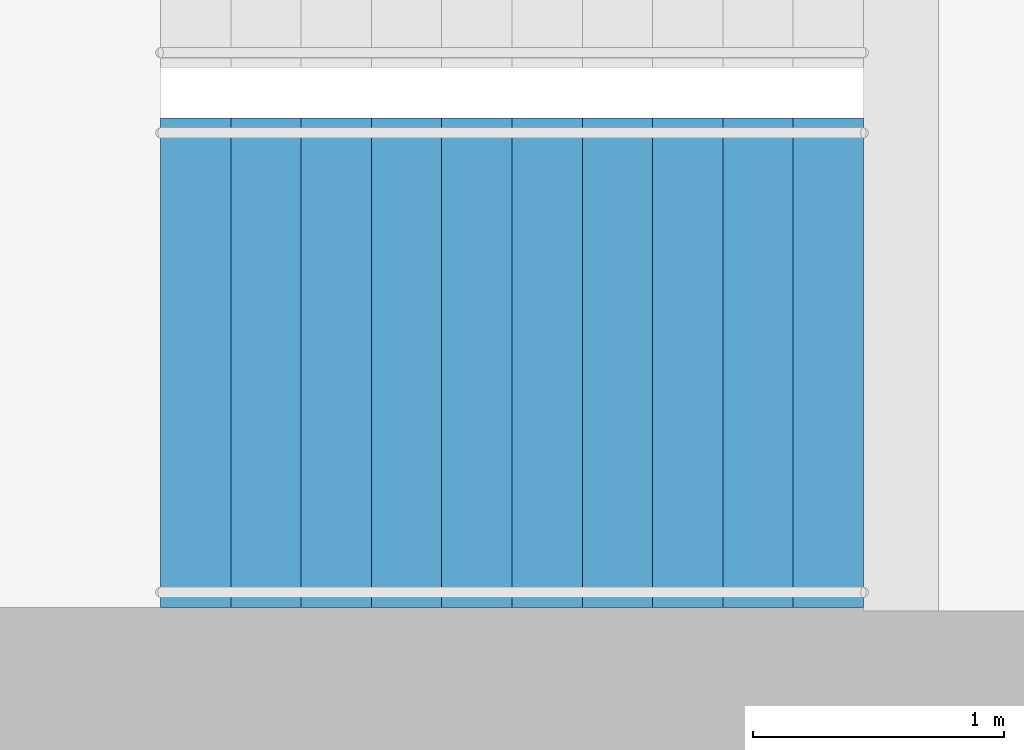
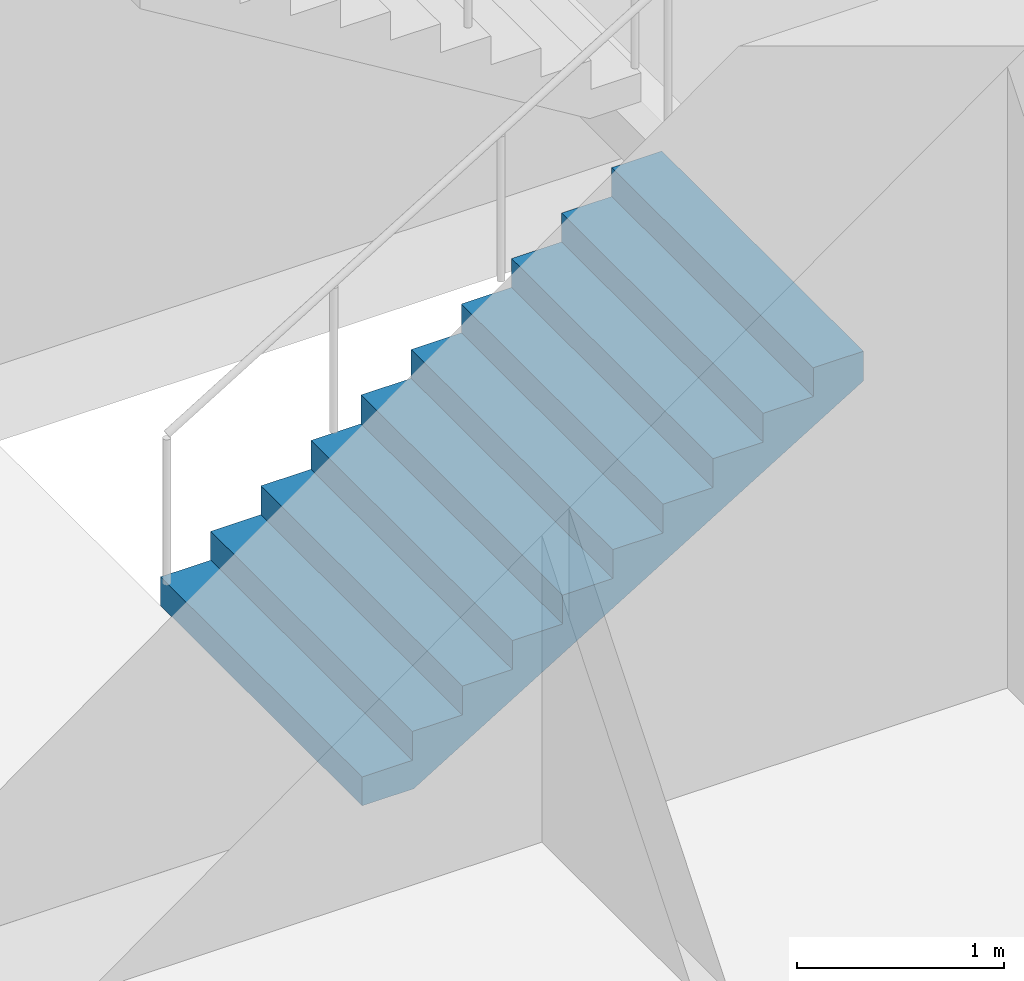
# One storey, part 20 of 26: 1 stair flight, 1 element without a shape of its own.
"""IFC4 building model written with IfcOpenShell, lengths in metres."""

from ifc_helpers import new_model, si_unit, direction, frame, origin, place, context, subcontext, project, spatial, triangles, material, type_object, element, aggregate, save


model = new_model("IFC4")

# Units and contexts
model_context = context("Model", 3, precision=1e-05, world=origin(), true_north=direction((0.0, 1.0)))
body_context = subcontext(model_context, "Body", "Model", "MODEL_VIEW")
ifc_project = project(units=[si_unit("LENGTHUNIT", "METRE"), si_unit("AREAUNIT", "SQUARE_METRE"), si_unit("VOLUMEUNIT", "CUBIC_METRE"), si_unit("PLANEANGLEUNIT", "RADIAN"), si_unit("MASSUNIT", "GRAM", prefix="KILO")], contexts=[model_context])

# Site, building, storey
site_placement = place(None, origin())
site = spatial("IfcSite", under=ifc_project, at=site_placement, CompositionType="ELEMENT")
building_placement = place(site_placement, origin())
building = spatial("IfcBuilding", under=site, at=building_placement, Name="Orbita Commons", CompositionType="ELEMENT")
storey_placement = place(building_placement, frame((0.0, 0.0, 231.550048828125)))
storey = spatial("IfcBuildingStorey", under=building, at=storey_placement, Name="L57", CompositionType="ELEMENT", Elevation=231.550048828125)

# Stair, stair flight
ifc_material_1 = material(Name="Precast concrete C40/50", Category="concrete")
stair_type = type_object("IfcStairType", Name="Exit stair S1 2 flights 11 risers 170", PredefinedType="HALF_TURN_STAIR", material=ifc_material_1)
stair_placement = place(storey_placement, origin())
stair = element("IfcStair", 1, at=stair_placement, inside=storey, type_object=stair_type, Name="Exit stair S1 L57", PredefinedType="HALF_TURN_STAIR")
ifc_material_2 = material(Name="Precast concrete C40/50", Category="concrete")
stair_flight_type = type_object("IfcStairFlightType", Name="Stair flight 11 risers 170 x 280", PredefinedType="STRAIGHT", material=ifc_material_2)
stair_flight_placement = place(storey_placement, frame((20.449951171875, 27.125, 0.0), z_axis=(0.0, 0.0, 1.0), x_axis=(1.0, 0.0, 0.0)))
stair_flight = element("IfcStairFlight", 2, at=stair_flight_placement, type_object=stair_flight_type, Name="S1 flight 1", NumberOfRisers=11, NumberOfTreads=10, PredefinedType="STRAIGHT", RiserHeight=0.170454545, TreadLength=0.28, context=body_context, shape_type="Tessellation", body=[
    triangles([(0.0, 0.974976, 0.0), (0.0, 0.974976, 0.021307), (0.0, 0.81248, 0.021307), (0.0, 0.81248, 0.0), (0.0, 0.649984, 0.021307), (0.0, 0.649984, 0.0), (0.0, 0.487488, 0.021307), (0.0, 0.487488, 0.0), (0.0, 0.324992, 0.021307), (0.0, 0.324992, 0.0), (0.0, 0.162496, 0.021307), (0.0, 0.162496, 0.0), (0.0, 0.0, 0.021307), (0.0, 0.0, 0.0), (0.0, -0.162496, 0.021307), (0.0, -0.162496, 0.0), (0.0, -0.324992, 0.021307), (0.0, -0.324992, 0.0), (0.0, -0.487488, 0.021307), (0.0, -0.487488, 0.0), (0.0, -0.649984, 0.021307), (0.0, -0.649984, 0.0), (0.0, -0.81248, 0.021307), (0.0, -0.81248, 0.0), (0.0, -0.974976, 0.021307), (0.0, -0.974976, 0.0), (0.0, 0.974976, 0.042614), (0.0, 0.81248, 0.042614), (0.0, 0.649984, 0.042614), (0.0, 0.487488, 0.042614), (0.0, 0.324992, 0.042614), (0.0, 0.162496, 0.042614), (0.0, 0.0, 0.042614), (0.0, -0.162496, 0.042614), (0.0, -0.324992, 0.042614), (0.0, -0.487488, 0.042614), (0.0, -0.649984, 0.042614), (0.0, -0.81248, 0.042614), (0.0, -0.974976, 0.042614), (0.0, 0.974976, 0.06392), (0.0, 0.81248, 0.06392), (0.0, 0.649984, 0.06392), (0.0, 0.487488, 0.06392), (0.0, 0.324992, 0.06392), (0.0, 0.162496, 0.06392), (0.0, 0.0, 0.06392), (0.0, -0.162496, 0.06392), (0.0, -0.324992, 0.06392), (0.0, -0.487488, 0.06392), (0.0, -0.649984, 0.06392), (0.0, -0.81248, 0.06392), (0.0, -0.974976, 0.06392), (0.0, 0.974976, 0.085227), (0.0, 0.81248, 0.085227), (0.0, 0.649984, 0.085227), (0.0, 0.487488, 0.085227), (0.0, 0.324992, 0.085227), (0.0, 0.162496, 0.085227), (0.0, 0.0, 0.085227), (0.0, -0.162496, 0.085227), (0.0, -0.324992, 0.085227), (0.0, -0.487488, 0.085227), (0.0, -0.649984, 0.085227), (0.0, -0.81248, 0.085227), (0.0, -0.974976, 0.085227), (0.0, 0.974976, 0.106534), (0.0, 0.81248, 0.106534), (0.0, 0.649984, 0.106534), (0.0, 0.487488, 0.106534), (0.0, 0.324992, 0.106534), (0.0, 0.162496, 0.106534), (0.0, 0.0, 0.106534), (0.0, -0.162496, 0.106534), (0.0, -0.324992, 0.106534), (0.0, -0.487488, 0.106534), (0.0, -0.649984, 0.106534), (0.0, -0.81248, 0.106534), (0.0, -0.974976, 0.106534), (0.0, 0.974976, 0.127841), (0.0, 0.81248, 0.127841), (0.0, 0.649984, 0.127841), (0.0, 0.487488, 0.127841), (0.0, 0.324992, 0.127841), (0.0, 0.162496, 0.127841), (0.0, 0.0, 0.127841), (0.0, -0.162496, 0.127841), (0.0, -0.324992, 0.127841), (0.0, -0.487488, 0.127841), (0.0, -0.649984, 0.127841), (0.0, -0.81248, 0.127841), (0.0, -0.974976, 0.127841), (0.0, 0.974976, 0.149148), (0.0, 0.81248, 0.149148), (0.0, 0.649984, 0.149148), (0.0, 0.487488, 0.149148), (0.0, 0.324992, 0.149148), (0.0, 0.162496, 0.149148), (0.0, 0.0, 0.149148), (0.0, -0.162496, 0.149148), (0.0, -0.324992, 0.149148), (0.0, -0.487488, 0.149148), (0.0, -0.649984, 0.149148), (0.0, -0.81248, 0.149148), (0.0, -0.974976, 0.149148), (0.0, 0.974976, 0.170455), (0.0, 0.81248, 0.170455), (0.0, 0.649984, 0.170455), (0.0, 0.487488, 0.170455), (0.0, 0.324992, 0.170455), (0.0, 0.162496, 0.170455), (0.0, 0.0, 0.170455), (0.0, -0.162496, 0.170455), (0.0, -0.324992, 0.170455), (0.0, -0.487488, 0.170455), (0.0, -0.649984, 0.170455), (0.0, -0.81248, 0.170455), (0.0, -0.974976, 0.170455), (0.28, 0.974976, 0.170455), (0.28, 0.81248, 0.170455), (0.28, 0.649984, 0.170455), (0.28, 0.487488, 0.170455), (0.28, 0.324992, 0.170455), (0.28, 0.162496, 0.170455), (0.28, 0.0, 0.170455), (0.28, -0.162496, 0.170455), (0.28, -0.324992, 0.170455), (0.28, -0.487488, 0.170455), (0.28, -0.649984, 0.170455), (0.28, -0.81248, 0.170455), (0.28, -0.974976, 0.170455), (0.28, 0.974976, 0.340909), (0.28, 0.81248, 0.340909), (0.28, 0.649984, 0.340909), (0.28, 0.487488, 0.340909), (0.28, 0.324992, 0.340909), (0.28, 0.162496, 0.340909), (0.28, 0.0, 0.340909), (0.28, -0.162496, 0.340909), (0.28, -0.324992, 0.340909), (0.28, -0.487488, 0.340909), (0.28, -0.649984, 0.340909), (0.28, -0.81248, 0.340909), (0.28, -0.974976, 0.340909), (0.56, 0.974976, 0.340909), (0.56, 0.81248, 0.340909), (0.56, 0.649984, 0.340909), (0.56, 0.487488, 0.340909), (0.56, 0.324992, 0.340909), (0.56, 0.162496, 0.340909), (0.56, 0.0, 0.340909), (0.56, -0.162496, 0.340909), (0.56, -0.324992, 0.340909), (0.56, -0.487488, 0.340909), (0.56, -0.649984, 0.340909), (0.56, -0.81248, 0.340909), (0.56, -0.974976, 0.340909), (0.56, 0.974976, 0.511364), (0.56, 0.81248, 0.511364), (0.56, 0.649984, 0.511364), (0.56, 0.487488, 0.511364), (0.56, 0.324992, 0.511364), (0.56, 0.162496, 0.511364), (0.56, 0.0, 0.511364), (0.56, -0.162496, 0.511364), (0.56, -0.324992, 0.511364), (0.56, -0.487488, 0.511364), (0.56, -0.649984, 0.511364), (0.56, -0.81248, 0.511364), (0.56, -0.974976, 0.511364), (0.84, 0.974976, 0.511364), (0.84, 0.81248, 0.511364), (0.84, 0.649984, 0.511364), (0.84, 0.487488, 0.511364), (0.84, 0.324992, 0.511364), (0.84, 0.162496, 0.511364), (0.84, 0.0, 0.511364), (0.84, -0.162496, 0.511364), (0.84, -0.324992, 0.511364), (0.84, -0.487488, 0.511364), (0.84, -0.649984, 0.511364), (0.84, -0.81248, 0.511364), (0.84, -0.974976, 0.511364), (0.84, 0.974976, 0.681818), (0.84, 0.81248, 0.681818), (0.84, 0.649984, 0.681818), (0.84, 0.487488, 0.681818), (0.84, 0.324992, 0.681818), (0.84, 0.162496, 0.681818), (0.84, 0.0, 0.681818), (0.84, -0.162496, 0.681818), (0.84, -0.324992, 0.681818), (0.84, -0.487488, 0.681818), (0.84, -0.649984, 0.681818), (0.84, -0.81248, 0.681818), (0.84, -0.974976, 0.681818), (1.12, 0.974976, 0.681818), (1.12, 0.81248, 0.681818), (1.12, 0.649984, 0.681818), (1.12, 0.487488, 0.681818), (1.12, 0.324992, 0.681818), (1.12, 0.162496, 0.681818), (1.12, 0.0, 0.681818), (1.12, -0.162496, 0.681818), (1.12, -0.324992, 0.681818), (1.12, -0.487488, 0.681818), (1.12, -0.649984, 0.681818), (1.12, -0.81248, 0.681818), (1.12, -0.974976, 0.681818), (1.12, 0.974976, 0.852273), (1.12, 0.81248, 0.852273), (1.12, 0.649984, 0.852273), (1.12, 0.487488, 0.852273), (1.12, 0.324992, 0.852273), (1.12, 0.162496, 0.852273), (1.12, 0.0, 0.852273), (1.12, -0.162496, 0.852273), (1.12, -0.324992, 0.852273), (1.12, -0.487488, 0.852273), (1.12, -0.649984, 0.852273), (1.12, -0.81248, 0.852273), (1.12, -0.974976, 0.852273), (1.4, 0.974976, 0.852273), (1.4, 0.81248, 0.852273), (1.4, 0.649984, 0.852273), (1.4, 0.487488, 0.852273), (1.4, 0.324992, 0.852273), (1.4, 0.162496, 0.852273), (1.4, 0.0, 0.852273), (1.4, -0.162496, 0.852273), (1.4, -0.324992, 0.852273), (1.4, -0.487488, 0.852273), (1.4, -0.649984, 0.852273), (1.4, -0.81248, 0.852273), (1.4, -0.974976, 0.852273), (1.4, 0.974976, 1.022727), (1.4, 0.81248, 1.022727), (1.4, 0.649984, 1.022727), (1.4, 0.487488, 1.022727), (1.4, 0.324992, 1.022727), (1.4, 0.162496, 1.022727), (1.4, 0.0, 1.022727), (1.4, -0.162496, 1.022727), (1.4, -0.324992, 1.022727), (1.4, -0.487488, 1.022727), (1.4, -0.649984, 1.022727), (1.4, -0.81248, 1.022727), (1.4, -0.974976, 1.022727), (1.68, 0.974976, 1.022727), (1.68, 0.81248, 1.022727), (1.68, 0.649984, 1.022727), (1.68, 0.487488, 1.022727), (1.68, 0.324992, 1.022727), (1.68, 0.162496, 1.022727), (1.68, 0.0, 1.022727), (1.68, -0.162496, 1.022727), (1.68, -0.324992, 1.022727), (1.68, -0.487488, 1.022727), (1.68, -0.649984, 1.022727), (1.68, -0.81248, 1.022727), (1.68, -0.974976, 1.022727), (1.68, 0.974976, 1.193182), (1.68, 0.81248, 1.193182), (1.68, 0.649984, 1.193182), (1.68, 0.487488, 1.193182), (1.68, 0.324992, 1.193182), (1.68, 0.162496, 1.193182), (1.68, 0.0, 1.193182), (1.68, -0.162496, 1.193182), (1.68, -0.324992, 1.193182), (1.68, -0.487488, 1.193182), (1.68, -0.649984, 1.193182), (1.68, -0.81248, 1.193182), (1.68, -0.974976, 1.193182), (1.96, 0.974976, 1.193182), (1.96, 0.81248, 1.193182), (1.96, 0.649984, 1.193182), (1.96, 0.487488, 1.193182), (1.96, 0.324992, 1.193182), (1.96, 0.162496, 1.193182), (1.96, 0.0, 1.193182), (1.96, -0.162496, 1.193182), (1.96, -0.324992, 1.193182), (1.96, -0.487488, 1.193182), (1.96, -0.649984, 1.193182), (1.96, -0.81248, 1.193182), (1.96, -0.974976, 1.193182), (1.96, 0.974976, 1.363636), (1.96, 0.81248, 1.363636), (1.96, 0.649984, 1.363636), (1.96, 0.487488, 1.363636), (1.96, 0.324992, 1.363636), (1.96, 0.162496, 1.363636), (1.96, 0.0, 1.363636), (1.96, -0.162496, 1.363636), (1.96, -0.324992, 1.363636), (1.96, -0.487488, 1.363636), (1.96, -0.649984, 1.363636), (1.96, -0.81248, 1.363636), (1.96, -0.974976, 1.363636), (2.24, 0.974976, 1.363636), (2.24, 0.81248, 1.363636), (2.24, 0.649984, 1.363636), (2.24, 0.487488, 1.363636), (2.24, 0.324992, 1.363636), (2.24, 0.162496, 1.363636), (2.24, 0.0, 1.363636), (2.24, -0.162496, 1.363636), (2.24, -0.324992, 1.363636), (2.24, -0.487488, 1.363636), (2.24, -0.649984, 1.363636), (2.24, -0.81248, 1.363636), (2.24, -0.974976, 1.363636), (2.24, 0.974976, 1.534091), (2.24, 0.81248, 1.534091), (2.24, 0.649984, 1.534091), (2.24, 0.487488, 1.534091), (2.24, 0.324992, 1.534091), (2.24, 0.162496, 1.534091), (2.24, 0.0, 1.534091), (2.24, -0.162496, 1.534091), (2.24, -0.324992, 1.534091), (2.24, -0.487488, 1.534091), (2.24, -0.649984, 1.534091), (2.24, -0.81248, 1.534091), (2.24, -0.974976, 1.534091), (2.52, 0.974976, 1.534091), (2.52, 0.81248, 1.534091), (2.52, 0.649984, 1.534091), (2.52, 0.487488, 1.534091), (2.52, 0.324992, 1.534091), (2.52, 0.162496, 1.534091), (2.52, 0.0, 1.534091), (2.52, -0.162496, 1.534091), (2.52, -0.324992, 1.534091), (2.52, -0.487488, 1.534091), (2.52, -0.649984, 1.534091), (2.52, -0.81248, 1.534091), (2.52, -0.974976, 1.534091), (2.52, 0.974976, 1.704545), (2.52, 0.81248, 1.704545), (2.52, 0.649984, 1.704545), (2.52, 0.487488, 1.704545), (2.52, 0.324992, 1.704545), (2.52, 0.162496, 1.704545), (2.52, 0.0, 1.704545), (2.52, -0.162496, 1.704545), (2.52, -0.324992, 1.704545), (2.52, -0.487488, 1.704545), (2.52, -0.649984, 1.704545), (2.52, -0.81248, 1.704545), (2.52, -0.974976, 1.704545), (2.8, 0.974976, 1.704545), (2.8, 0.81248, 1.704545), (2.8, 0.649984, 1.704545), (2.8, 0.487488, 1.704545), (2.8, 0.324992, 1.704545), (2.8, 0.162496, 1.704545), (2.8, 0.0, 1.704545), (2.8, -0.162496, 1.704545), (2.8, -0.324992, 1.704545), (2.8, -0.487488, 1.704545), (2.8, -0.649984, 1.704545), (2.8, -0.81248, 1.704545), (2.8, -0.974976, 1.704545), (2.8, 0.974976, 1.682609), (2.8, 0.81248, 1.682609), (2.8, 0.649984, 1.682609), (2.8, 0.487488, 1.682609), (2.8, 0.324992, 1.682609), (2.8, 0.162496, 1.682609), (2.8, 0.0, 1.682609), (2.8, -0.162496, 1.682609), (2.8, -0.324992, 1.682609), (2.8, -0.487488, 1.682609), (2.8, -0.649984, 1.682609), (2.8, -0.81248, 1.682609), (2.8, -0.974976, 1.682609), (2.8, 0.974976, 1.660672), (2.8, 0.81248, 1.660672), (2.8, 0.649984, 1.660672), (2.8, 0.487488, 1.660672), (2.8, 0.324992, 1.660672), (2.8, 0.162496, 1.660672), (2.8, 0.0, 1.660672), (2.8, -0.162496, 1.660672), (2.8, -0.324992, 1.660672), (2.8, -0.487488, 1.660672), (2.8, -0.649984, 1.660672), (2.8, -0.81248, 1.660672), (2.8, -0.974976, 1.660672), (2.8, 0.974976, 1.638735), (2.8, 0.81248, 1.638735), (2.8, 0.649984, 1.638735), (2.8, 0.487488, 1.638735), (2.8, 0.324992, 1.638735), (2.8, 0.162496, 1.638735), (2.8, 0.0, 1.638735), (2.8, -0.162496, 1.638735), (2.8, -0.324992, 1.638735), (2.8, -0.487488, 1.638735), (2.8, -0.649984, 1.638735), (2.8, -0.81248, 1.638735), (2.8, -0.974976, 1.638735), (2.8, 0.974976, 1.616798), (2.8, 0.81248, 1.616798), (2.8, 0.649984, 1.616798), (2.8, 0.487488, 1.616798), (2.8, 0.324992, 1.616798), (2.8, 0.162496, 1.616798), (2.8, 0.0, 1.616798), (2.8, -0.162496, 1.616798), (2.8, -0.324992, 1.616798), (2.8, -0.487488, 1.616798), (2.8, -0.649984, 1.616798), (2.8, -0.81248, 1.616798), (2.8, -0.974976, 1.616798), (2.8, 0.974976, 1.594861), (2.8, 0.81248, 1.594861), (2.8, 0.649984, 1.594861), (2.8, 0.487488, 1.594861), (2.8, 0.324992, 1.594861), (2.8, 0.162496, 1.594861), (2.8, 0.0, 1.594861), (2.8, -0.162496, 1.594861), (2.8, -0.324992, 1.594861), (2.8, -0.487488, 1.594861), (2.8, -0.649984, 1.594861), (2.8, -0.81248, 1.594861), (2.8, -0.974976, 1.594861), (2.8, 0.974976, 1.572925), (2.8, 0.81248, 1.572925), (2.8, 0.649984, 1.572925), (2.8, 0.487488, 1.572925), (2.8, 0.324992, 1.572925), (2.8, 0.162496, 1.572925), (2.8, 0.0, 1.572925), (2.8, -0.162496, 1.572925), (2.8, -0.324992, 1.572925), (2.8, -0.487488, 1.572925), (2.8, -0.649984, 1.572925), (2.8, -0.81248, 1.572925), (2.8, -0.974976, 1.572925), (2.8, 0.974976, 1.550988), (2.8, 0.81248, 1.550988), (2.8, 0.649984, 1.550988), (2.8, 0.487488, 1.550988), (2.8, 0.324992, 1.550988), (2.8, 0.162496, 1.550988), (2.8, 0.0, 1.550988), (2.8, -0.162496, 1.550988), (2.8, -0.324992, 1.550988), (2.8, -0.487488, 1.550988), (2.8, -0.649984, 1.550988), (2.8, -0.81248, 1.550988), (2.8, -0.974976, 1.550988), (2.8, 0.974976, 1.529051), (2.8, 0.81248, 1.529051), (2.8, 0.649984, 1.529051), (2.8, 0.487488, 1.529051), (2.8, 0.324992, 1.529051), (2.8, 0.162496, 1.529051), (2.8, 0.0, 1.529051), (2.8, -0.162496, 1.529051), (2.8, -0.324992, 1.529051), (2.8, -0.487488, 1.529051), (2.8, -0.649984, 1.529051), (2.8, -0.81248, 1.529051), (2.8, -0.974976, 1.529051), (0.288279, 0.974976, 0.0), (0.288279, 0.81248, 0.0), (0.288279, 0.649984, 0.0), (0.288279, 0.487488, 0.0), (0.288279, 0.324992, 0.0), (0.288279, 0.162496, 0.0), (0.288279, 0.0, 0.0), (0.288279, -0.162496, 0.0), (0.288279, -0.324992, 0.0), (0.288279, -0.487488, 0.0), (0.288279, -0.649984, 0.0), (0.288279, -0.81248, 0.0), (0.288279, -0.974976, 0.0)], [[3, 2, 1], [4, 3, 1], [5, 3, 4], [6, 5, 4], [7, 5, 6], [8, 7, 6], [9, 7, 8], [10, 9, 8], [11, 9, 10], [12, 11, 10], [13, 11, 12], [14, 13, 12], [15, 13, 14], [16, 15, 14], [17, 15, 16], [18, 17, 16], [19, 17, 18], [20, 19, 18], [21, 19, 20], [22, 21, 20], [23, 21, 22], [24, 23, 22], [25, 23, 24], [26, 25, 24], [28, 27, 2], [3, 28, 2], [29, 28, 3], [5, 29, 3], [30, 29, 5], [7, 30, 5], [31, 30, 7], [9, 31, 7], [32, 31, 9], [11, 32, 9], [33, 32, 11], [13, 33, 11], [34, 33, 13], [15, 34, 13], [35, 34, 15], [17, 35, 15], [36, 35, 17], [19, 36, 17], [37, 36, 19], [21, 37, 19], [38, 37, 21], [23, 38, 21], [39, 38, 23], [25, 39, 23], [41, 40, 27], [28, 41, 27], [42, 41, 28], [29, 42, 28], [43, 42, 29], [30, 43, 29], [44, 43, 30], [31, 44, 30], [45, 44, 31], [32, 45, 31], [46, 45, 32], [33, 46, 32], [47, 46, 33], [34, 47, 33], [48, 47, 34], [35, 48, 34], [49, 48, 35], [36, 49, 35], [50, 49, 36], [37, 50, 36], [51, 50, 37], [38, 51, 37], [52, 51, 38], [39, 52, 38], [54, 53, 40], [41, 54, 40], [55, 54, 41], [42, 55, 41], [56, 55, 42], [43, 56, 42], [57, 56, 43], [44, 57, 43], [58, 57, 44], [45, 58, 44], [59, 58, 45], [46, 59, 45], [60, 59, 46], [47, 60, 46], [61, 60, 47], [48, 61, 47], [62, 61, 48], [49, 62, 48], [63, 62, 49], [50, 63, 49], [64, 63, 50], [51, 64, 50], [65, 64, 51], [52, 65, 51], [67, 66, 53], [54, 67, 53], [68, 67, 54], [55, 68, 54], [69, 68, 55], [56, 69, 55], [70, 69, 56], [57, 70, 56], [71, 70, 57], [58, 71, 57], [72, 71, 58], [59, 72, 58], [73, 72, 59], [60, 73, 59], [74, 73, 60], [61, 74, 60], [75, 74, 61], [62, 75, 61], [76, 75, 62], [63, 76, 62], [77, 76, 63], [64, 77, 63], [78, 77, 64], [65, 78, 64], [80, 79, 66], [67, 80, 66], [81, 80, 67], [68, 81, 67], [82, 81, 68], [69, 82, 68], [83, 82, 69], [70, 83, 69], [84, 83, 70], [71, 84, 70], [85, 84, 71], [72, 85, 71], [86, 85, 72], [73, 86, 72], [87, 86, 73], [74, 87, 73], [88, 87, 74], [75, 88, 74], [89, 88, 75], [76, 89, 75], [90, 89, 76], [77, 90, 76], [91, 90, 77], [78, 91, 77], [93, 92, 79], [80, 93, 79], [94, 93, 80], [81, 94, 80], [95, 94, 81], [82, 95, 81], [96, 95, 82], [83, 96, 82], [97, 96, 83], [84, 97, 83], [98, 97, 84], [85, 98, 84], [99, 98, 85], [86, 99, 85], [100, 99, 86], [87, 100, 86], [101, 100, 87], [88, 101, 87], [102, 101, 88], [89, 102, 88], [103, 102, 89], [90, 103, 89], [104, 103, 90], [91, 104, 90], [106, 105, 92], [93, 106, 92], [107, 106, 93], [94, 107, 93], [108, 107, 94], [95, 108, 94], [109, 108, 95], [96, 109, 95], [110, 109, 96], [97, 110, 96], [111, 110, 97], [98, 111, 97], [112, 111, 98], [99, 112, 98], [113, 112, 99], [100, 113, 99], [114, 113, 100], [101, 114, 100], [115, 114, 101], [102, 115, 101], [116, 115, 102], [103, 116, 102], [117, 116, 103], [104, 117, 103], [119, 118, 105], [106, 119, 105], [120, 119, 106], [107, 120, 106], [121, 120, 107], [108, 121, 107], [122, 121, 108], [109, 122, 108], [123, 122, 109], [110, 123, 109], [124, 123, 110], [111, 124, 110], [125, 124, 111], [112, 125, 111], [126, 125, 112], [113, 126, 112], [127, 126, 113], [114, 127, 113], [128, 127, 114], [115, 128, 114], [129, 128, 115], [116, 129, 115], [130, 129, 116], [117, 130, 116], [132, 131, 118], [119, 132, 118], [133, 132, 119], [120, 133, 119], [134, 133, 120], [121, 134, 120], [135, 134, 121], [122, 135, 121], [136, 135, 122], [123, 136, 122], [137, 136, 123], [124, 137, 123], [138, 137, 124], [125, 138, 124], [139, 138, 125], [126, 139, 125], [140, 139, 126], [127, 140, 126], [141, 140, 127], [128, 141, 127], [142, 141, 128], [129, 142, 128], [143, 142, 129], [130, 143, 129], [145, 144, 131], [132, 145, 131], [146, 145, 132], [133, 146, 132], [147, 146, 133], [134, 147, 133], [148, 147, 134], [135, 148, 134], [149, 148, 135], [136, 149, 135], [150, 149, 136], [137, 150, 136], [151, 150, 137], [138, 151, 137], [152, 151, 138], [139, 152, 138], [153, 152, 139], [140, 153, 139], [154, 153, 140], [141, 154, 140], [155, 154, 141], [142, 155, 141], [156, 155, 142], [143, 156, 142], [158, 157, 144], [145, 158, 144], [159, 158, 145], [146, 159, 145], [160, 159, 146], [147, 160, 146], [161, 160, 147], [148, 161, 147], [162, 161, 148], [149, 162, 148], [163, 162, 149], [150, 163, 149], [164, 163, 150], [151, 164, 150], [165, 164, 151], [152, 165, 151], [166, 165, 152], [153, 166, 152], [167, 166, 153], [154, 167, 153], [168, 167, 154], [155, 168, 154], [169, 168, 155], [156, 169, 155], [171, 170, 157], [158, 171, 157], [172, 171, 158], [159, 172, 158], [173, 172, 159], [160, 173, 159], [174, 173, 160], [161, 174, 160], [175, 174, 161], [162, 175, 161], [176, 175, 162], [163, 176, 162], [177, 176, 163], [164, 177, 163], [178, 177, 164], [165, 178, 164], [179, 178, 165], [166, 179, 165], [180, 179, 166], [167, 180, 166], [181, 180, 167], [168, 181, 167], [182, 181, 168], [169, 182, 168], [184, 183, 170], [171, 184, 170], [185, 184, 171], [172, 185, 171], [186, 185, 172], [173, 186, 172], [187, 186, 173], [174, 187, 173], [188, 187, 174], [175, 188, 174], [189, 188, 175], [176, 189, 175], [190, 189, 176], [177, 190, 176], [191, 190, 177], [178, 191, 177], [192, 191, 178], [179, 192, 178], [193, 192, 179], [180, 193, 179], [194, 193, 180], [181, 194, 180], [195, 194, 181], [182, 195, 181], [197, 196, 183], [184, 197, 183], [198, 197, 184], [185, 198, 184], [199, 198, 185], [186, 199, 185], [200, 199, 186], [187, 200, 186], [201, 200, 187], [188, 201, 187], [202, 201, 188], [189, 202, 188], [203, 202, 189], [190, 203, 189], [204, 203, 190], [191, 204, 190], [205, 204, 191], [192, 205, 191], [206, 205, 192], [193, 206, 192], [207, 206, 193], [194, 207, 193], [208, 207, 194], [195, 208, 194], [210, 209, 196], [197, 210, 196], [211, 210, 197], [198, 211, 197], [212, 211, 198], [199, 212, 198], [213, 212, 199], [200, 213, 199], [214, 213, 200], [201, 214, 200], [215, 214, 201], [202, 215, 201], [216, 215, 202], [203, 216, 202], [217, 216, 203], [204, 217, 203], [218, 217, 204], [205, 218, 204], [219, 218, 205], [206, 219, 205], [220, 219, 206], [207, 220, 206], [221, 220, 207], [208, 221, 207], [223, 222, 209], [210, 223, 209], [224, 223, 210], [211, 224, 210], [225, 224, 211], [212, 225, 211], [226, 225, 212], [213, 226, 212], [227, 226, 213], [214, 227, 213], [228, 227, 214], [215, 228, 214], [229, 228, 215], [216, 229, 215], [230, 229, 216], [217, 230, 216], [231, 230, 217], [218, 231, 217], [232, 231, 218], [219, 232, 218], [233, 232, 219], [220, 233, 219], [234, 233, 220], [221, 234, 220], [236, 235, 222], [223, 236, 222], [237, 236, 223], [224, 237, 223], [238, 237, 224], [225, 238, 224], [239, 238, 225], [226, 239, 225], [240, 239, 226], [227, 240, 226], [241, 240, 227], [228, 241, 227], [242, 241, 228], [229, 242, 228], [243, 242, 229], [230, 243, 229], [244, 243, 230], [231, 244, 230], [245, 244, 231], [232, 245, 231], [246, 245, 232], [233, 246, 232], [247, 246, 233], [234, 247, 233], [249, 248, 235], [236, 249, 235], [250, 249, 236], [237, 250, 236], [251, 250, 237], [238, 251, 237], [252, 251, 238], [239, 252, 238], [253, 252, 239], [240, 253, 239], [254, 253, 240], [241, 254, 240], [255, 254, 241], [242, 255, 241], [256, 255, 242], [243, 256, 242], [257, 256, 243], [244, 257, 243], [258, 257, 244], [245, 258, 244], [259, 258, 245], [246, 259, 245], [260, 259, 246], [247, 260, 246], [262, 261, 248], [249, 262, 248], [263, 262, 249], [250, 263, 249], [264, 263, 250], [251, 264, 250], [265, 264, 251], [252, 265, 251], [266, 265, 252], [253, 266, 252], [267, 266, 253], [254, 267, 253], [268, 267, 254], [255, 268, 254], [269, 268, 255], [256, 269, 255], [270, 269, 256], [257, 270, 256], [271, 270, 257], [258, 271, 257], [272, 271, 258], [259, 272, 258], [273, 272, 259], [260, 273, 259], [275, 274, 261], [262, 275, 261], [276, 275, 262], [263, 276, 262], [277, 276, 263], [264, 277, 263], [278, 277, 264], [265, 278, 264], [279, 278, 265], [266, 279, 265], [280, 279, 266], [267, 280, 266], [281, 280, 267], [268, 281, 267], [282, 281, 268], [269, 282, 268], [283, 282, 269], [270, 283, 269], [284, 283, 270], [271, 284, 270], [285, 284, 271], [272, 285, 271], [286, 285, 272], [273, 286, 272], [288, 287, 274], [275, 288, 274], [289, 288, 275], [276, 289, 275], [290, 289, 276], [277, 290, 276], [291, 290, 277], [278, 291, 277], [292, 291, 278], [279, 292, 278], [293, 292, 279], [280, 293, 279], [294, 293, 280], [281, 294, 280], [295, 294, 281], [282, 295, 281], [296, 295, 282], [283, 296, 282], [297, 296, 283], [284, 297, 283], [298, 297, 284], [285, 298, 284], [299, 298, 285], [286, 299, 285], [301, 300, 287], [288, 301, 287], [302, 301, 288], [289, 302, 288], [303, 302, 289], [290, 303, 289], [304, 303, 290], [291, 304, 290], [305, 304, 291], [292, 305, 291], [306, 305, 292], [293, 306, 292], [307, 306, 293], [294, 307, 293], [308, 307, 294], [295, 308, 294], [309, 308, 295], [296, 309, 295], [310, 309, 296], [297, 310, 296], [311, 310, 297], [298, 311, 297], [312, 311, 298], [299, 312, 298], [314, 313, 300], [301, 314, 300], [315, 314, 301], [302, 315, 301], [316, 315, 302], [303, 316, 302], [317, 316, 303], [304, 317, 303], [318, 317, 304], [305, 318, 304], [319, 318, 305], [306, 319, 305], [320, 319, 306], [307, 320, 306], [321, 320, 307], [308, 321, 307], [322, 321, 308], [309, 322, 308], [323, 322, 309], [310, 323, 309], [324, 323, 310], [311, 324, 310], [325, 324, 311], [312, 325, 311], [327, 326, 313], [314, 327, 313], [328, 327, 314], [315, 328, 314], [329, 328, 315], [316, 329, 315], [330, 329, 316], [317, 330, 316], [331, 330, 317], [318, 331, 317], [332, 331, 318], [319, 332, 318], [333, 332, 319], [320, 333, 319], [334, 333, 320], [321, 334, 320], [335, 334, 321], [322, 335, 321], [336, 335, 322], [323, 336, 322], [337, 336, 323], [324, 337, 323], [338, 337, 324], [325, 338, 324], [340, 339, 326], [327, 340, 326], [341, 340, 327], [328, 341, 327], [342, 341, 328], [329, 342, 328], [343, 342, 329], [330, 343, 329], [344, 343, 330], [331, 344, 330], [345, 344, 331], [332, 345, 331], [346, 345, 332], [333, 346, 332], [347, 346, 333], [334, 347, 333], [348, 347, 334], [335, 348, 334], [349, 348, 335], [336, 349, 335], [350, 349, 336], [337, 350, 336], [351, 350, 337], [338, 351, 337], [353, 352, 339], [340, 353, 339], [354, 353, 340], [341, 354, 340], [355, 354, 341], [342, 355, 341], [356, 355, 342], [343, 356, 342], [357, 356, 343], [344, 357, 343], [358, 357, 344], [345, 358, 344], [359, 358, 345], [346, 359, 345], [360, 359, 346], [347, 360, 346], [361, 360, 347], [348, 361, 347], [362, 361, 348], [349, 362, 348], [363, 362, 349], [350, 363, 349], [364, 363, 350], [351, 364, 350], [366, 365, 352], [353, 366, 352], [367, 366, 353], [354, 367, 353], [368, 367, 354], [355, 368, 354], [369, 368, 355], [356, 369, 355], [370, 369, 356], [357, 370, 356], [371, 370, 357], [358, 371, 357], [372, 371, 358], [359, 372, 358], [373, 372, 359], [360, 373, 359], [374, 373, 360], [361, 374, 360], [375, 374, 361], [362, 375, 361], [376, 375, 362], [363, 376, 362], [377, 376, 363], [364, 377, 363], [379, 378, 365], [366, 379, 365], [380, 379, 366], [367, 380, 366], [381, 380, 367], [368, 381, 367], [382, 381, 368], [369, 382, 368], [383, 382, 369], [370, 383, 369], [384, 383, 370], [371, 384, 370], [385, 384, 371], [372, 385, 371], [386, 385, 372], [373, 386, 372], [387, 386, 373], [374, 387, 373], [388, 387, 374], [375, 388, 374], [389, 388, 375], [376, 389, 375], [390, 389, 376], [377, 390, 376], [392, 391, 378], [379, 392, 378], [393, 392, 379], [380, 393, 379], [394, 393, 380], [381, 394, 380], [395, 394, 381], [382, 395, 381], [396, 395, 382], [383, 396, 382], [397, 396, 383], [384, 397, 383], [398, 397, 384], [385, 398, 384], [399, 398, 385], [386, 399, 385], [400, 399, 386], [387, 400, 386], [401, 400, 387], [388, 401, 387], [402, 401, 388], [389, 402, 388], [403, 402, 389], [390, 403, 389], [405, 404, 391], [392, 405, 391], [406, 405, 392], [393, 406, 392], [407, 406, 393], [394, 407, 393], [408, 407, 394], [395, 408, 394], [409, 408, 395], [396, 409, 395], [410, 409, 396], [397, 410, 396], [411, 410, 397], [398, 411, 397], [412, 411, 398], [399, 412, 398], [413, 412, 399], [400, 413, 399], [414, 413, 400], [401, 414, 400], [415, 414, 401], [402, 415, 401], [416, 415, 402], [403, 416, 402], [418, 417, 404], [405, 418, 404], [419, 418, 405], [406, 419, 405], [420, 419, 406], [407, 420, 406], [421, 420, 407], [408, 421, 407], [422, 421, 408], [409, 422, 408], [423, 422, 409], [410, 423, 409], [424, 423, 410], [411, 424, 410], [425, 424, 411], [412, 425, 411], [426, 425, 412], [413, 426, 412], [427, 426, 413], [414, 427, 413], [428, 427, 414], [415, 428, 414], [429, 428, 415], [416, 429, 415], [431, 430, 417], [418, 431, 417], [432, 431, 418], [419, 432, 418], [433, 432, 419], [420, 433, 419], [434, 433, 420], [421, 434, 420], [435, 434, 421], [422, 435, 421], [436, 435, 422], [423, 436, 422], [437, 436, 423], [424, 437, 423], [438, 437, 424], [425, 438, 424], [439, 438, 425], [426, 439, 425], [440, 439, 426], [427, 440, 426], [441, 440, 427], [428, 441, 427], [442, 441, 428], [429, 442, 428], [444, 443, 430], [431, 444, 430], [445, 444, 431], [432, 445, 431], [446, 445, 432], [433, 446, 432], [447, 446, 433], [434, 447, 433], [448, 447, 434], [435, 448, 434], [449, 448, 435], [436, 449, 435], [450, 449, 436], [437, 450, 436], [451, 450, 437], [438, 451, 437], [452, 451, 438], [439, 452, 438], [453, 452, 439], [440, 453, 439], [454, 453, 440], [441, 454, 440], [455, 454, 441], [442, 455, 441], [457, 456, 443], [444, 457, 443], [458, 457, 444], [445, 458, 444], [459, 458, 445], [446, 459, 445], [460, 459, 446], [447, 460, 446], [461, 460, 447], [448, 461, 447], [462, 461, 448], [449, 462, 448], [463, 462, 449], [450, 463, 449], [464, 463, 450], [451, 464, 450], [465, 464, 451], [452, 465, 451], [466, 465, 452], [453, 466, 452], [467, 466, 453], [454, 467, 453], [468, 467, 454], [455, 468, 454], [470, 469, 456], [457, 470, 456], [471, 470, 457], [458, 471, 457], [472, 471, 458], [459, 472, 458], [473, 472, 459], [460, 473, 459], [474, 473, 460], [461, 474, 460], [475, 474, 461], [462, 475, 461], [476, 475, 462], [463, 476, 462], [477, 476, 463], [464, 477, 463], [478, 477, 464], [465, 478, 464], [479, 478, 465], [466, 479, 465], [480, 479, 466], [467, 480, 466], [481, 480, 467], [468, 481, 467], [4, 1, 469], [470, 4, 469], [6, 4, 470], [471, 6, 470], [8, 6, 471], [472, 8, 471], [10, 8, 472], [473, 10, 472], [12, 10, 473], [474, 12, 473], [14, 12, 474], [475, 14, 474], [16, 14, 475], [476, 16, 475], [18, 16, 476], [477, 18, 476], [20, 18, 477], [478, 20, 477], [22, 20, 478], [479, 22, 478], [24, 22, 479], [480, 24, 479], [26, 24, 480], [481, 26, 480], [456, 469, 1], [26, 481, 468], [443, 456, 1], [26, 468, 455], [430, 443, 1], [26, 455, 442], [417, 430, 1], [26, 442, 429], [404, 417, 1], [26, 429, 416], [391, 404, 1], [26, 416, 403], [378, 391, 1], [26, 403, 390], [365, 378, 1], [26, 390, 377], [339, 352, 365], [377, 364, 351], [326, 339, 365], [377, 351, 338], [300, 313, 326], [338, 325, 312], [300, 326, 365], [377, 338, 312], [274, 287, 300], [312, 299, 286], [274, 300, 365], [377, 312, 286], [248, 261, 274], [286, 273, 260], [248, 274, 365], [377, 286, 260], [222, 235, 248], [260, 247, 234], [222, 248, 365], [377, 260, 234], [196, 209, 222], [234, 221, 208], [196, 222, 365], [377, 234, 208], [170, 183, 196], [208, 195, 182], [170, 196, 365], [377, 208, 182], [144, 157, 170], [182, 169, 156], [144, 170, 365], [377, 182, 156], [118, 131, 144], [156, 143, 130], [118, 144, 365], [377, 156, 130], [118, 365, 1], [26, 377, 130], [92, 105, 118], [130, 117, 104], [79, 92, 118], [130, 104, 91], [66, 79, 118], [130, 91, 78], [53, 66, 118], [130, 78, 65], [40, 53, 118], [130, 65, 52], [27, 40, 118], [130, 52, 39], [2, 27, 118], [130, 39, 25], [1, 2, 118], [130, 25, 26]], closed=True),
])
aggregate(stair, [stair_flight])

save(model, "model.ifc")
